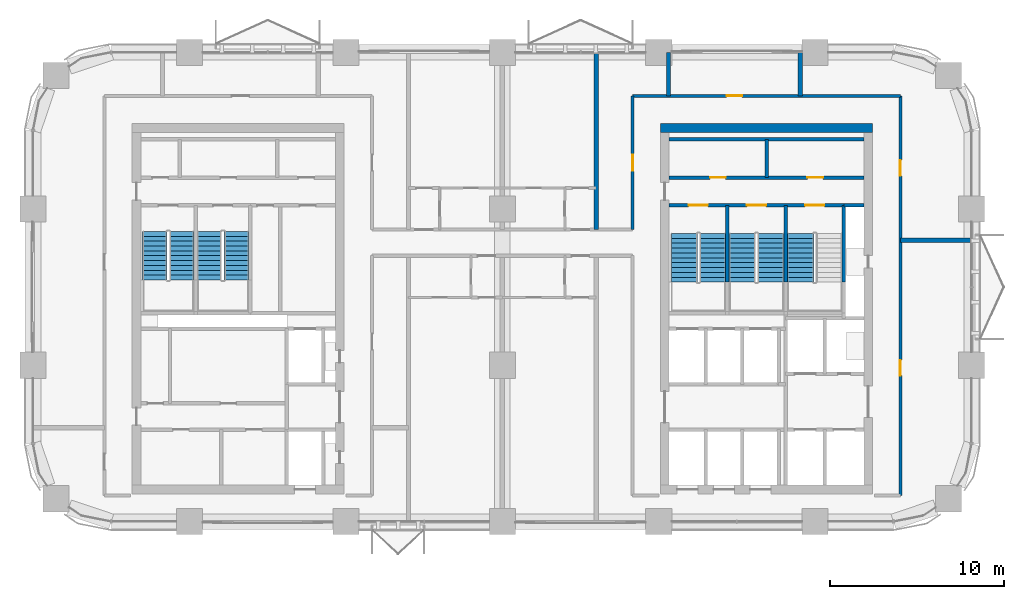
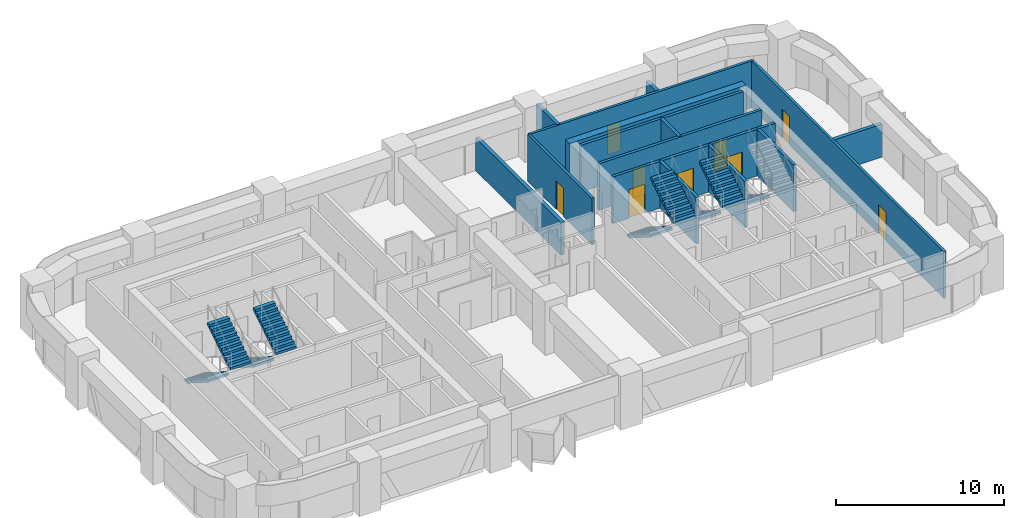
# One storey, part 11 of 14: 16 walls, 9 doors, 9 stair flights, 9 openings, 5 elements without a shape of their own.
"""IFC4 building model written with IfcOpenShell, lengths in metres."""

from ifc_helpers import new_model, si_unit, direction, frame, frame_2d, origin, place, context, subcontext, project, spatial, polyline, rectangle, outline, extrude, material, layer, layer_set, type_object, element, fill, aggregate, save


model = new_model("IFC4")

# Units and contexts
model_context = context("Model", 3, precision=1e-05, world=origin(), true_north=direction((0.0, 1.0)))
body_context = subcontext(model_context, "Body", "Model", "MODEL_VIEW")
ifc_project = project(units=[si_unit("LENGTHUNIT", "METRE"), si_unit("AREAUNIT", "SQUARE_METRE"), si_unit("VOLUMEUNIT", "CUBIC_METRE"), si_unit("PLANEANGLEUNIT", "RADIAN"), si_unit("MASSUNIT", "GRAM", prefix="KILO")], contexts=[model_context])

# Site, building, storey
site_placement = place(None, origin())
site = spatial("IfcSite", under=ifc_project, at=site_placement, CompositionType="ELEMENT")
building_placement = place(site_placement, origin())
building = spatial("IfcBuilding", under=site, at=building_placement, Name="Tessera Arch", CompositionType="ELEMENT")
storey_placement = place(building_placement, frame((0.0, 0.0, 193.39990234375)))
storey = spatial("IfcBuildingStorey", under=building, at=storey_placement, Name="L46", CompositionType="ELEMENT", Elevation=193.39990234375)

# Wall
ifc_material_1 = material(Name="Gypsum board on steel stud", Category="steel")
ifc_layer_1 = layer(ifc_material_1, 0.125)
ifc_layer_set_1 = layer_set([ifc_layer_1], Name="Core partition 125 EI 60")
wall_type_1 = type_object("IfcWallType", Name="Core partition 125 EI 60", PredefinedType="PARTITIONING", material=ifc_layer_set_1)
wall_1_placement = place(storey_placement, frame((42.199951171875, 46.800048828125, 0.0), z_axis=(0.0, 0.0, 1.0), x_axis=(0.0, 1.0, 0.0)))
element("IfcWall", 1, at=wall_1_placement, inside=storey, type_object=wall_type_1, Name="L46 C1 partition wall 7", PredefinedType="PARTITIONING", context=body_context, shape_type="SweptSolid", body=[
    extrude(rectangle(XDim=2.199951171875, YDim=0.199951171875, at=frame_2d((1.10009765625, 0.0))), origin(), (0.0, 0.0, 1.0), 3.400146484375),
])

# Wall, openings, doors
wall_2_placement = place(storey_placement, frame((36.60009765625, 46.800048828125, 0.0), z_axis=(0.0, 0.0, 1.0), x_axis=(1.0, 0.0, 0.0)))
wall_2 = element("IfcWall", 2, at=wall_2_placement, inside=storey, type_object=wall_type_1, Name="L46 C1 partition wall 31", PredefinedType="PARTITIONING", context=body_context, shape_type="SweptSolid", body=[
    extrude(rectangle(XDim=11.199951171875, YDim=0.199951171875, at=frame_2d((5.60009765625, 0.0))), origin(), (0.0, 0.0, 1.0), 3.400146484375),
])
opening_1_placement = place(wall_2_placement, frame((2.35009765625, 0.0, 0.0)))
opening_1 = element("IfcOpeningElement", 3, at=opening_1_placement, cuts=wall_2, Name="Opening L46-C18", PredefinedType="OPENING", context=body_context, shape_type="SweptSolid", body=[
    extrude(rectangle(XDim=0.89990234375, YDim=2.10009765625, at=frame_2d((0.449951171875, 1.050048828125))), frame((0.0, 0.10986328125, 0.0), z_axis=(0.0, -1.0, 0.0), x_axis=(1.0, 0.0, 0.0)), (0.0, 0.0, 1.0), 0.219970703125),
])
opening_2_placement = place(wall_2_placement, frame((7.949951171875, 0.0, 0.0)))
opening_2 = element("IfcOpeningElement", 4, at=opening_2_placement, cuts=wall_2, Name="Opening L46-C19", PredefinedType="OPENING", context=body_context, shape_type="SweptSolid", body=[
    extrude(rectangle(XDim=0.89990234375, YDim=2.10009765625, at=frame_2d((0.449951171875, 1.050048828125))), frame((0.0, 0.10986328125, 0.0), z_axis=(0.0, -1.0, 0.0), x_axis=(1.0, 0.0, 0.0)), (0.0, 0.0, 1.0), 0.219970703125),
])
ifc_material_2 = material(Name="Steel door leaf", Category="steel")
door_type_1 = type_object("IfcDoorType", Name="Store door FD30S 900 x 2100", OperationType="SINGLE_SWING_LEFT", PredefinedType="DOOR", material=ifc_material_2)
door_1_placement = place(opening_1_placement, origin())
door_1 = element("IfcDoor", 5, at=door_1_placement, inside=storey, type_object=door_type_1, Name="L46 C1 door 18 C18 type D09", OperationType="SINGLE_SWING_LEFT", OverallHeight=2.10009765625, OverallWidth=0.89990234375, PredefinedType="DOOR", context=body_context, shape_type="SweptSolid", body=[
    extrude(rectangle(XDim=0.89990234375, YDim=2.10009765625, at=frame_2d((0.449951171875, 1.050048828125))), frame((0.0, 0.02490234375, 0.0), z_axis=(0.0, -1.0, 0.0), x_axis=(1.0, 0.0, 0.0)), (0.0, 0.0, 1.0), 0.050048828125),
])
fill(opening_1, door_1)
door_2_placement = place(opening_2_placement, origin())
door_2 = element("IfcDoor", 6, at=door_2_placement, inside=storey, type_object=door_type_1, Name="L46 C1 door 19 C19 type D09", OperationType="SINGLE_SWING_RIGHT", OverallHeight=2.10009765625, OverallWidth=0.89990234375, PredefinedType="DOOR", context=body_context, shape_type="SweptSolid", body=[
    extrude(rectangle(XDim=0.89990234375, YDim=2.10009765625, at=frame_2d((0.449951171875, 1.050048828125))), frame((0.0, 0.02490234375, 0.0), z_axis=(0.0, -1.0, 0.0), x_axis=(1.0, 0.0, 0.0)), (0.0, 0.0, 1.0), 0.050048828125),
])
fill(opening_2, door_2)

# Walls
wall_3_placement = place(storey_placement, frame((36.60009765625, 49.0, 0.0), z_axis=(0.0, 0.0, 1.0), x_axis=(1.0, 0.0, 0.0)))
element("IfcWall", 7, at=wall_3_placement, inside=storey, type_object=wall_type_1, Name="L46 C1 partition wall 32", PredefinedType="PARTITIONING", context=body_context, shape_type="SweptSolid", body=[
    extrude(rectangle(XDim=11.199951171875, YDim=0.199951171875, at=frame_2d((5.60009765625, 0.0))), origin(), (0.0, 0.0, 1.0), 3.400146484375),
])
ifc_material_3 = material(Name="Concrete C60/75", Category="concrete")
ifc_layer_2 = layer(ifc_material_3, 0.5)
ifc_layer_set_2 = layer_set([ifc_layer_2], Name="Core shell wall 500 C60-75")
wall_type_2 = type_object("IfcWallType", Name="Core shell wall 500 C60-75", PredefinedType="SHEAR", material=ifc_layer_set_2)
wall_4_placement = place(storey_placement, frame((36.10009765625, 49.64990234375, 0.0), z_axis=(0.0, 0.0, 1.0), x_axis=(1.0, 0.0, 0.0)))
element("IfcWall", 8, at=wall_4_placement, inside=storey, type_object=wall_type_2, Name="L46 C1 core wall N", PredefinedType="SHEAR", context=body_context, shape_type="SweptSolid", body=[
    extrude(rectangle(XDim=12.199951171875, YDim=0.5, at=frame_2d((6.10009765625, 0.0))), origin(), (0.0, 0.0, 1.0), 3.400146484375),
])

# Wall, opening, door
ifc_material_4 = material(Name="Gypsum board on deep steel stud with mineral wool", Category="steel")
ifc_layer_3 = layer(ifc_material_4, 0.175048828125)
ifc_layer_set_3 = layer_set([ifc_layer_3], Name="Corridor wall 175 EI 60")
wall_type_3 = type_object("IfcWallType", Name="Corridor wall 175 EI 60", PredefinedType="PARTITIONING", material=ifc_layer_set_3)
wall_5_placement = place(storey_placement, frame((34.5, 51.5, 0.0), z_axis=(0.0, 0.0, 1.0), x_axis=(1.0, 0.0, 0.0)))
wall_5 = element("IfcWall", 9, at=wall_5_placement, inside=storey, type_object=wall_type_3, Name="L46 partition 8", PredefinedType="PARTITIONING", context=body_context, shape_type="SweptSolid", body=[
    extrude(rectangle(XDim=15.39990234375, YDim=0.175048828125, at=frame_2d((7.699951171875, 0.0))), origin(), (0.0, 0.0, 1.0), 3.400146484375),
])
opening_3_placement = place(wall_5_placement, frame((5.4013671875, 0.0, 0.0)))
opening_3 = element("IfcOpeningElement", 10, at=opening_3_placement, cuts=wall_5, Name="Opening L46-D025", PredefinedType="OPENING", context=body_context, shape_type="SweptSolid", body=[
    extrude(rectangle(XDim=0.89990234375, YDim=2.10009765625, at=frame_2d((0.449951171875, 1.050048828125))), frame((0.0, 0.097412109375, 0.0), z_axis=(0.0, -1.0, 0.0), x_axis=(1.0, 0.0, 0.0)), (0.0, 0.0, 1.0), 0.195068359375),
])
ifc_material_5 = material(Name="Timber door leaf", Category="wood")
door_type_2 = type_object("IfcDoorType", Name="Room door 900 x 2100", OperationType="SINGLE_SWING_LEFT", PredefinedType="DOOR", material=ifc_material_5)
door_3_placement = place(opening_3_placement, origin())
door_3 = element("IfcDoor", 11, at=door_3_placement, inside=storey, type_object=door_type_2, Name="L46 door D025 type D01", OperationType="SINGLE_SWING_LEFT", OverallHeight=2.10009765625, OverallWidth=0.89990234375, PredefinedType="DOOR", context=body_context, shape_type="SweptSolid", body=[
    extrude(rectangle(XDim=0.89990234375, YDim=2.10009765625, at=frame_2d((0.449951171875, 1.050048828125))), frame((0.0, 0.02490234375, 0.0), z_axis=(0.0, -1.0, 0.0), x_axis=(1.0, 0.0, 0.0)), (0.0, 0.0, 1.0), 0.050048828125),
])
fill(opening_3, door_3)

wall_6_placement = place(storey_placement, frame((34.5, 43.800048828125, 0.0), z_axis=(0.0, 0.0, 1.0), x_axis=(0.0, 1.0, 0.0)))
wall_6 = element("IfcWall", 12, at=wall_6_placement, inside=storey, type_object=wall_type_3, Name="L46 partition 13", PredefinedType="PARTITIONING", context=body_context, shape_type="SweptSolid", body=[
    extrude(rectangle(XDim=7.699951171875, YDim=0.175048828125, at=frame_2d((3.85009765625, 0.0))), origin(), (0.0, 0.0, 1.0), 3.400146484375),
])
opening_4_placement = place(wall_6_placement, frame((3.39990234375, 0.0, 0.0)))
opening_4 = element("IfcOpeningElement", 13, at=opening_4_placement, cuts=wall_6, Name="Opening L46-D022", PredefinedType="OPENING", context=body_context, shape_type="SweptSolid", body=[
    extrude(rectangle(XDim=0.89990234375, YDim=2.10009765625, at=frame_2d((0.449951171875, 1.050048828125))), frame((0.0, 0.097412109375, 0.0), z_axis=(0.0, -1.0, 0.0), x_axis=(1.0, 0.0, 0.0)), (0.0, 0.0, 1.0), 0.195068359375),
])
door_4_placement = place(opening_4_placement, origin())
door_4 = element("IfcDoor", 14, at=door_4_placement, inside=storey, type_object=door_type_2, Name="L46 door D022 type D01", OperationType="SINGLE_SWING_RIGHT", OverallHeight=2.10009765625, OverallWidth=0.89990234375, PredefinedType="DOOR", context=body_context, shape_type="SweptSolid", body=[
    extrude(rectangle(XDim=0.89990234375, YDim=2.10009765625, at=frame_2d((0.449951171875, 1.050048828125))), frame((0.0, 0.02490234375, 0.0), z_axis=(0.0, -1.0, 0.0), x_axis=(1.0, 0.0, 0.0)), (0.0, 0.0, 1.0), 0.050048828125),
])
fill(opening_4, door_4)

# Wall, openings, doors
wall_7_placement = place(storey_placement, frame((49.89990234375, 28.5, 0.0), z_axis=(0.0, 0.0, 1.0), x_axis=(0.0, 1.0, 0.0)))
wall_7 = element("IfcWall", 15, at=wall_7_placement, inside=storey, type_object=wall_type_3, Name="L46 partition 14", PredefinedType="PARTITIONING", context=body_context, shape_type="SweptSolid", body=[
    extrude(rectangle(XDim=23.0, YDim=0.175048828125, at=frame_2d((11.5, 0.0))), origin(), (0.0, 0.0, 1.0), 3.400146484375),
])
opening_5_placement = place(wall_7_placement, frame((6.89990234375, 0.0, 0.0)))
opening_5 = element("IfcOpeningElement", 16, at=opening_5_placement, cuts=wall_7, Name="Opening L46-D002", PredefinedType="OPENING", context=body_context, shape_type="SweptSolid", body=[
    extrude(rectangle(XDim=0.89990234375, YDim=2.10009765625, at=frame_2d((0.449951171875, 1.050048828125))), frame((0.0, 0.097412109375, 0.0), z_axis=(0.0, -1.0, 0.0), x_axis=(1.0, 0.0, 0.0)), (0.0, 0.0, 1.0), 0.195068359375),
])
opening_6_placement = place(wall_7_placement, frame((18.39990234375, 0.0, 0.0)))
opening_6 = element("IfcOpeningElement", 17, at=opening_6_placement, cuts=wall_7, Name="Opening L46-D021", PredefinedType="OPENING", context=body_context, shape_type="SweptSolid", body=[
    extrude(rectangle(XDim=0.89990234375, YDim=2.10009765625, at=frame_2d((0.449951171875, 1.050048828125))), frame((0.0, 0.097412109375, 0.0), z_axis=(0.0, -1.0, 0.0), x_axis=(1.0, 0.0, 0.0)), (0.0, 0.0, 1.0), 0.195068359375),
])
door_5_placement = place(opening_5_placement, origin())
door_5 = element("IfcDoor", 18, at=door_5_placement, inside=storey, type_object=door_type_2, Name="L46 door D002 type D01", OperationType="SINGLE_SWING_LEFT", OverallHeight=2.10009765625, OverallWidth=0.89990234375, PredefinedType="DOOR", context=body_context, shape_type="SweptSolid", body=[
    extrude(rectangle(XDim=0.89990234375, YDim=2.10009765625, at=frame_2d((0.449951171875, 1.050048828125))), frame((0.0, 0.02490234375, 0.0), z_axis=(0.0, -1.0, 0.0), x_axis=(1.0, 0.0, 0.0)), (0.0, 0.0, 1.0), 0.050048828125),
])
fill(opening_5, door_5)
door_6_placement = place(opening_6_placement, origin())
door_6 = element("IfcDoor", 19, at=door_6_placement, inside=storey, type_object=door_type_2, Name="L46 door D021 type D01", OperationType="SINGLE_SWING_RIGHT", OverallHeight=2.10009765625, OverallWidth=0.89990234375, PredefinedType="DOOR", context=body_context, shape_type="SweptSolid", body=[
    extrude(rectangle(XDim=0.89990234375, YDim=2.10009765625, at=frame_2d((0.449951171875, 1.050048828125))), frame((0.0, 0.02490234375, 0.0), z_axis=(0.0, -1.0, 0.0), x_axis=(1.0, 0.0, 0.0)), (0.0, 0.0, 1.0), 0.050048828125),
])
fill(opening_6, door_6)

# Walls
ifc_material_6 = material(Name="Double gypsum board on twin steel stud with acoustic mineral wool", Category="steel")
ifc_layer_4 = layer(ifc_material_6, 0.25)
ifc_layer_set_4 = layer_set([ifc_layer_4], Name="Party wall 250 EI 60")
wall_type_4 = type_object("IfcWallType", Name="Party wall 250 EI 60", PredefinedType="PARTITIONING", material=ifc_layer_set_4)
wall_8_placement = place(storey_placement, frame((49.89990234375, 43.199951171875, 0.0), z_axis=(0.0, 0.0, 1.0), x_axis=(1.0, 0.0, 0.0)))
element("IfcWall", 20, at=wall_8_placement, inside=storey, type_object=wall_type_4, Name="L46 partition 21", PredefinedType="PARTITIONING", context=body_context, shape_type="SweptSolid", body=[
    extrude(rectangle(XDim=4.10009765625, YDim=0.25, at=frame_2d((2.050048828125, 0.0))), origin(), (0.0, 0.0, 1.0), 2.400146484375),
])
wall_9_placement = place(storey_placement, frame((32.39990234375, 43.800048828125, 0.0), z_axis=(0.0, 0.0, 1.0), x_axis=(0.0, 1.0, 0.0)))
element("IfcWall", 21, at=wall_9_placement, inside=storey, type_object=wall_type_4, Name="L46 partition 29", PredefinedType="PARTITIONING", context=body_context, shape_type="SweptSolid", body=[
    extrude(rectangle(XDim=10.199951171875, YDim=0.25, at=frame_2d((5.10009765625, 0.0))), origin(), (0.0, 0.0, 1.0), 2.400146484375),
])
wall_10_placement = place(storey_placement, frame((36.55908203125, 51.5, 0.0), z_axis=(0.0, 0.0, 1.0), x_axis=(0.0, 1.0, 0.0)))
element("IfcWall", 22, at=wall_10_placement, inside=storey, type_object=wall_type_4, Name="L46 partition 30", PredefinedType="PARTITIONING", context=body_context, shape_type="SweptSolid", body=[
    extrude(rectangle(XDim=2.5, YDim=0.25, at=frame_2d((1.25, 0.0))), origin(), (0.0, 0.0, 1.0), 3.400146484375),
])
wall_11_placement = place(storey_placement, frame((44.14306640625, 51.5, 0.0), z_axis=(0.0, 0.0, 1.0), x_axis=(0.0, 1.0, 0.0)))
element("IfcWall", 23, at=wall_11_placement, inside=storey, type_object=wall_type_4, Name="L46 partition 31", PredefinedType="PARTITIONING", context=body_context, shape_type="SweptSolid", body=[
    extrude(rectangle(XDim=2.5, YDim=0.25, at=frame_2d((1.25, 0.0))), origin(), (0.0, 0.0, 1.0), 2.400146484375),
])
ifc_material_7 = material(Name="Concrete C40/50", Category="concrete")
ifc_layer_5 = layer(ifc_material_7, 0.199951171875)
ifc_layer_set_5 = layer_set([ifc_layer_5], Name="Shaft wall 200 EI 120")
wall_type_5 = type_object("IfcWallType", Name="Shaft wall 200 EI 120", PredefinedType="SOLIDWALL", material=ifc_layer_set_5)
wall_12_placement = place(storey_placement, frame((46.64990234375, 45.199951171875, 0.0), z_axis=(0.0, 0.0, 1.0), x_axis=(1.0, 0.0, 0.0)))
element("IfcWall", 24, at=wall_12_placement, inside=storey, type_object=wall_type_5, Name="L46 C1 shaft wall 29", PredefinedType="SOLIDWALL", context=body_context, shape_type="SweptSolid", body=[
    extrude(rectangle(XDim=1.150146484375, YDim=0.199951171875, at=frame_2d((0.5751953125, 0.0))), origin(), (0.0, 0.0, 1.0), 3.400146484375),
])
ifc_material_8 = material(Name="Concrete C40/50", Category="concrete")
ifc_layer_6 = layer(ifc_material_8, 0.199951171875)
ifc_layer_set_6 = layer_set([ifc_layer_6], Name="Stair well wall 200 REI 180")
wall_type_6 = type_object("IfcWallType", Name="Stair well wall 200 REI 180", PredefinedType="SOLIDWALL", material=ifc_layer_set_6)
for number, where, z_axis, x_axis, name in (
    (25, (39.949951171875, 40.780029296875, 0.0), (0.0, 0.0, 1.0), (0.0, 1.0, 0.0), "L46 C1 shaft wall 4"),
    (26, (43.300048828125, 40.780029296875, 0.0), (0.0, 0.0, 1.0), (0.0, 1.0, 0.0), "L46 C1 shaft wall 12"),
    (27, (46.64990234375, 40.780029296875, 0.0), (0.0, 0.0, 1.0), (0.0, 1.0, 0.0), "L46 C1 shaft wall 17"),
):
    element("IfcWall", number, at=place(storey_placement, frame(where, z_axis=z_axis, x_axis=x_axis)), inside=storey, type_object=wall_type_6, Name=name, PredefinedType="SOLIDWALL", context=body_context, shape_type="SweptSolid", body=[
        extrude(rectangle(XDim=4.419921875, YDim=0.199951171875, at=frame_2d((2.2099609375, 0.0))), origin(), (0.0, 0.0, 1.0), 3.400146484375),
    ])

# Wall, openings, doors
wall_13_placement = place(storey_placement, frame((36.60009765625, 45.199951171875, 0.0), z_axis=(0.0, 0.0, 1.0), x_axis=(1.0, 0.0, 0.0)))
wall_13 = element("IfcWall", 28, at=wall_13_placement, inside=storey, type_object=wall_type_6, Name="L46 C1 shaft wall 30", PredefinedType="SOLIDWALL", context=body_context, shape_type="SweptSolid", body=[
    extrude(rectangle(XDim=10.0498046875, YDim=0.199951171875, at=frame_2d((5.02490234375, 0.0))), origin(), (0.0, 0.0, 1.0), 3.400146484375),
])
opening_7_placement = place(wall_13_placement, frame((1.125, 0.0, 0.0)))
opening_7 = element("IfcOpeningElement", 29, at=opening_7_placement, cuts=wall_13, Name="Opening L46-C11", PredefinedType="OPENING", context=body_context, shape_type="SweptSolid", body=[
    extrude(rectangle(XDim=1.10009765625, YDim=2.10009765625, at=frame_2d((0.550048828125, 1.050048828125))), frame((0.0, 0.10986328125, 0.0), z_axis=(0.0, -1.0, 0.0), x_axis=(1.0, 0.0, 0.0)), (0.0, 0.0, 1.0), 0.219970703125),
])
opening_8_placement = place(wall_13_placement, frame((4.47509765625, 0.0, 0.0)))
opening_8 = element("IfcOpeningElement", 30, at=opening_8_placement, cuts=wall_13, Name="Opening L46-C12", PredefinedType="OPENING", context=body_context, shape_type="SweptSolid", body=[
    extrude(rectangle(XDim=1.10009765625, YDim=2.10009765625, at=frame_2d((0.550048828125, 1.050048828125))), frame((0.0, 0.10986328125, 0.0), z_axis=(0.0, -1.0, 0.0), x_axis=(1.0, 0.0, 0.0)), (0.0, 0.0, 1.0), 0.219970703125),
])
opening_9_placement = place(wall_13_placement, frame((7.824951171875, 0.0, 0.0)))
opening_9 = element("IfcOpeningElement", 31, at=opening_9_placement, cuts=wall_13, Name="Opening L46-C13", PredefinedType="OPENING", context=body_context, shape_type="SweptSolid", body=[
    extrude(rectangle(XDim=1.10009765625, YDim=2.10009765625, at=frame_2d((0.550048828125, 1.050048828125))), frame((0.0, 0.10986328125, 0.0), z_axis=(0.0, -1.0, 0.0), x_axis=(1.0, 0.0, 0.0)), (0.0, 0.0, 1.0), 0.219970703125),
])
ifc_material_9 = material(Name="Steel door leaf", Category="steel")
door_type_3 = type_object("IfcDoorType", Name="Stair door FD60 1100 x 2100", OperationType="SINGLE_SWING_LEFT", PredefinedType="DOOR", material=ifc_material_9)
door_7_placement = place(opening_7_placement, origin())
door_7 = element("IfcDoor", 32, at=door_7_placement, inside=storey, type_object=door_type_3, Name="L46 C1 door 11 C11 type D05", OperationType="SINGLE_SWING_LEFT", OverallHeight=2.10009765625, OverallWidth=1.10009765625, PredefinedType="DOOR", context=body_context, shape_type="SweptSolid", body=[
    extrude(rectangle(XDim=1.10009765625, YDim=2.10009765625, at=frame_2d((0.550048828125, 1.050048828125))), frame((0.0, 0.02490234375, 0.0), z_axis=(0.0, -1.0, 0.0), x_axis=(1.0, 0.0, 0.0)), (0.0, 0.0, 1.0), 0.050048828125),
])
fill(opening_7, door_7)
door_8_placement = place(opening_8_placement, origin())
door_8 = element("IfcDoor", 33, at=door_8_placement, inside=storey, type_object=door_type_3, Name="L46 C1 door 12 C12 type D05", OperationType="SINGLE_SWING_RIGHT", OverallHeight=2.10009765625, OverallWidth=1.10009765625, PredefinedType="DOOR", context=body_context, shape_type="SweptSolid", body=[
    extrude(rectangle(XDim=1.10009765625, YDim=2.10009765625, at=frame_2d((0.550048828125, 1.050048828125))), frame((0.0, 0.02490234375, 0.0), z_axis=(0.0, -1.0, 0.0), x_axis=(1.0, 0.0, 0.0)), (0.0, 0.0, 1.0), 0.050048828125),
])
fill(opening_8, door_8)
door_9_placement = place(opening_9_placement, origin())
door_9 = element("IfcDoor", 34, at=door_9_placement, inside=storey, type_object=door_type_3, Name="L46 C1 door 13 C13 type D05", OperationType="SINGLE_SWING_RIGHT", OverallHeight=2.10009765625, OverallWidth=1.10009765625, PredefinedType="DOOR", context=body_context, shape_type="SweptSolid", body=[
    extrude(rectangle(XDim=1.10009765625, YDim=2.10009765625, at=frame_2d((0.550048828125, 1.050048828125))), frame((0.0, 0.02490234375, 0.0), z_axis=(0.0, -1.0, 0.0), x_axis=(1.0, 0.0, 0.0)), (0.0, 0.0, 1.0), 0.050048828125),
])
fill(opening_9, door_9)

# Stair, stair flights
ifc_material_10 = material(Name="Concrete C40/50", Category="concrete")
stair_type_1 = type_object("IfcStairType", Name="Dogleg stair 1400", PredefinedType="HALF_TURN_STAIR", material=ifc_material_10)
stair_1_placement = place(storey_placement, origin())
stair_1 = element("IfcStair", 35, at=stair_1_placement, inside=storey, type_object=stair_type_1, Name="L46 S2a", PredefinedType="HALF_TURN_STAIR")
ifc_material_11 = material(Name="Concrete C40/50", Category="concrete")
stair_flight_type_1 = type_object("IfcStairFlightType", Name="Stair flight 1400", PredefinedType="STRAIGHT", material=ifc_material_11)
stair_flight_1_placement = place(storey_placement, frame((7.0, 43.699951171875, 0.0), z_axis=(0.0, 0.0, 1.0), x_axis=(0.0, -1.0, 0.0)))
stair_flight_1 = element("IfcStairFlight", 36, at=stair_flight_1_placement, type_object=stair_flight_type_1, Name="S2a flight 1", NumberOfRisers=11, NumberOfTreads=10, PredefinedType="STRAIGHT", RiserHeight=0.177272727, TreadLength=0.28, context=body_context, shape_type="SweptSolid", body=[
    extrude(outline(polyline([(0.0, 0.0), (0.0, 0.17724609375), (0.280029296875, 0.17724609375), (0.280029296875, 0.3544921875), (0.56005859375, 0.3544921875), (0.56005859375, 0.53173828125), (0.840087890625, 0.53173828125), (0.840087890625, 0.708984375), (1.1201171875, 0.708984375), (1.1201171875, 0.886474609375), (1.39990234375, 0.886474609375), (1.39990234375, 1.063720703125), (1.679931640625, 1.063720703125), (1.679931640625, 1.240966796875), (1.9599609375, 1.240966796875), (1.9599609375, 1.418212890625), (2.239990234375, 1.418212890625), (2.239990234375, 1.595458984375), (2.52001953125, 1.595458984375), (2.52001953125, 1.772705078125), (2.800048828125, 1.772705078125), (2.800048828125, 1.949951171875), (2.800048828125, 1.59521484375), (0.2802734375, 0.0), (0.0, 0.0)])), frame((0.0, 0.699951171875, 0.0), z_axis=(0.0, -1.0, 0.0), x_axis=(1.0, 0.0, 0.0)), (0.0, 0.0, 1.0), 1.39990234375),
])
stair_flight_2_placement = place(storey_placement, frame((8.550048828125, 40.89990234375, 1.9501953125), z_axis=(0.0, 0.0, 1.0), x_axis=(0.0, 1.0, 0.0)))
stair_flight_2 = element("IfcStairFlight", 37, at=stair_flight_2_placement, type_object=stair_flight_type_1, Name="S2a flight 2", NumberOfRisers=11, NumberOfTreads=10, PredefinedType="STRAIGHT", RiserHeight=0.177272727, TreadLength=0.28, context=body_context, shape_type="SweptSolid", body=[
    extrude(outline(polyline([(0.0, 0.0), (0.0, 0.17724609375), (0.280029296875, 0.17724609375), (0.280029296875, 0.3544921875), (0.56005859375, 0.3544921875), (0.56005859375, 0.53173828125), (0.840087890625, 0.53173828125), (0.840087890625, 0.708984375), (1.1201171875, 0.708984375), (1.1201171875, 0.886474609375), (1.39990234375, 0.886474609375), (1.39990234375, 1.063720703125), (1.679931640625, 1.063720703125), (1.679931640625, 1.240966796875), (1.9599609375, 1.240966796875), (1.9599609375, 1.418212890625), (2.239990234375, 1.418212890625), (2.239990234375, 1.595458984375), (2.52001953125, 1.595458984375), (2.52001953125, 1.772705078125), (2.800048828125, 1.772705078125), (2.800048828125, 1.949951171875), (2.800048828125, 1.59521484375), (0.2802734375, 0.0), (0.0, 0.0)])), frame((0.0, 0.699951171875, 0.0), z_axis=(0.0, -1.0, 0.0), x_axis=(1.0, 0.0, 0.0)), (0.0, 0.0, 1.0), 1.39990234375),
])
aggregate(stair_1, [stair_flight_1, stair_flight_2])

stair_2_placement = place(storey_placement, origin())
stair_2 = element("IfcStair", 38, at=stair_2_placement, inside=storey, type_object=stair_type_1, Name="L46 S2b", PredefinedType="HALF_TURN_STAIR")
stair_flight_3_placement = place(storey_placement, frame((10.14990234375, 43.699951171875, 0.0), z_axis=(0.0, 0.0, 1.0), x_axis=(0.0, -1.0, 0.0)))
stair_flight_3 = element("IfcStairFlight", 39, at=stair_flight_3_placement, type_object=stair_flight_type_1, Name="S2b flight 1", NumberOfRisers=11, NumberOfTreads=10, PredefinedType="STRAIGHT", RiserHeight=0.177272727, TreadLength=0.28, context=body_context, shape_type="SweptSolid", body=[
    extrude(outline(polyline([(0.0, 0.0), (0.0, 0.17724609375), (0.280029296875, 0.17724609375), (0.280029296875, 0.3544921875), (0.56005859375, 0.3544921875), (0.56005859375, 0.53173828125), (0.840087890625, 0.53173828125), (0.840087890625, 0.708984375), (1.1201171875, 0.708984375), (1.1201171875, 0.886474609375), (1.39990234375, 0.886474609375), (1.39990234375, 1.063720703125), (1.679931640625, 1.063720703125), (1.679931640625, 1.240966796875), (1.9599609375, 1.240966796875), (1.9599609375, 1.418212890625), (2.239990234375, 1.418212890625), (2.239990234375, 1.595458984375), (2.52001953125, 1.595458984375), (2.52001953125, 1.772705078125), (2.800048828125, 1.772705078125), (2.800048828125, 1.949951171875), (2.800048828125, 1.59521484375), (0.2802734375, 0.0), (0.0, 0.0)])), frame((0.0, 0.699951171875, 0.0), z_axis=(0.0, -1.0, 0.0), x_axis=(1.0, 0.0, 0.0)), (0.0, 0.0, 1.0), 1.39990234375),
])
stair_flight_4_placement = place(storey_placement, frame((11.699951171875, 40.89990234375, 1.9501953125), z_axis=(0.0, 0.0, 1.0), x_axis=(0.0, 1.0, 0.0)))
stair_flight_4 = element("IfcStairFlight", 40, at=stair_flight_4_placement, type_object=stair_flight_type_1, Name="S2b flight 2", NumberOfRisers=11, NumberOfTreads=10, PredefinedType="STRAIGHT", RiserHeight=0.177272727, TreadLength=0.28, context=body_context, shape_type="SweptSolid", body=[
    extrude(outline(polyline([(0.0, 0.0), (0.0, 0.17724609375), (0.280029296875, 0.17724609375), (0.280029296875, 0.3544921875), (0.56005859375, 0.3544921875), (0.56005859375, 0.53173828125), (0.840087890625, 0.53173828125), (0.840087890625, 0.708984375), (1.1201171875, 0.708984375), (1.1201171875, 0.886474609375), (1.39990234375, 0.886474609375), (1.39990234375, 1.063720703125), (1.679931640625, 1.063720703125), (1.679931640625, 1.240966796875), (1.9599609375, 1.240966796875), (1.9599609375, 1.418212890625), (2.239990234375, 1.418212890625), (2.239990234375, 1.595458984375), (2.52001953125, 1.595458984375), (2.52001953125, 1.772705078125), (2.800048828125, 1.772705078125), (2.800048828125, 1.949951171875), (2.800048828125, 1.59521484375), (0.2802734375, 0.0), (0.0, 0.0)])), frame((0.0, 0.699951171875, 0.0), z_axis=(0.0, -1.0, 0.0), x_axis=(1.0, 0.0, 0.0)), (0.0, 0.0, 1.0), 1.39990234375),
])
aggregate(stair_2, [stair_flight_3, stair_flight_4])

ifc_material_12 = material(Name="Concrete C40/50", Category="concrete")
stair_type_2 = type_object("IfcStairType", Name="Dogleg stair 1520", PredefinedType="HALF_TURN_STAIR", material=ifc_material_12)
stair_3_placement = place(storey_placement, origin())
stair_3 = element("IfcStair", 41, at=stair_3_placement, inside=storey, type_object=stair_type_2, Name="L46 S1a", PredefinedType="HALF_TURN_STAIR")
ifc_material_13 = material(Name="Concrete C40/50", Category="concrete")
stair_flight_type_2 = type_object("IfcStairFlightType", Name="Stair flight 1520", PredefinedType="STRAIGHT", material=ifc_material_13)
stair_flight_5_placement = place(storey_placement, frame((37.4599609375, 43.580078125, 0.0), z_axis=(0.0, 0.0, 1.0), x_axis=(0.0, -1.0, 0.0)))
stair_flight_5 = element("IfcStairFlight", 42, at=stair_flight_5_placement, type_object=stair_flight_type_2, Name="S1a flight 1", NumberOfRisers=11, NumberOfTreads=10, PredefinedType="STRAIGHT", RiserHeight=0.177272727, TreadLength=0.28, context=body_context, shape_type="SweptSolid", body=[
    extrude(outline(polyline([(0.0, 0.0), (0.0, 0.17724609375), (0.280029296875, 0.17724609375), (0.280029296875, 0.3544921875), (0.56005859375, 0.3544921875), (0.56005859375, 0.53173828125), (0.840087890625, 0.53173828125), (0.840087890625, 0.708984375), (1.1201171875, 0.708984375), (1.1201171875, 0.886474609375), (1.39990234375, 0.886474609375), (1.39990234375, 1.063720703125), (1.679931640625, 1.063720703125), (1.679931640625, 1.240966796875), (1.9599609375, 1.240966796875), (1.9599609375, 1.418212890625), (2.239990234375, 1.418212890625), (2.239990234375, 1.595458984375), (2.52001953125, 1.595458984375), (2.52001953125, 1.772705078125), (2.800048828125, 1.772705078125), (2.800048828125, 1.949951171875), (2.800048828125, 1.59521484375), (0.2802734375, 0.0), (0.0, 0.0)])), frame((0.0, 0.760009765625, 0.0), z_axis=(0.0, -1.0, 0.0), x_axis=(1.0, 0.0, 0.0)), (0.0, 0.0, 1.0), 1.52001953125),
])
stair_flight_6_placement = place(storey_placement, frame((39.090087890625, 40.780029296875, 1.9501953125), z_axis=(0.0, 0.0, 1.0), x_axis=(0.0, 1.0, 0.0)))
stair_flight_6 = element("IfcStairFlight", 43, at=stair_flight_6_placement, type_object=stair_flight_type_2, Name="S1a flight 2", NumberOfRisers=11, NumberOfTreads=10, PredefinedType="STRAIGHT", RiserHeight=0.177272727, TreadLength=0.28, context=body_context, shape_type="SweptSolid", body=[
    extrude(outline(polyline([(0.0, 0.0), (0.0, 0.17724609375), (0.280029296875, 0.17724609375), (0.280029296875, 0.3544921875), (0.56005859375, 0.3544921875), (0.56005859375, 0.53173828125), (0.840087890625, 0.53173828125), (0.840087890625, 0.708984375), (1.1201171875, 0.708984375), (1.1201171875, 0.886474609375), (1.39990234375, 0.886474609375), (1.39990234375, 1.063720703125), (1.679931640625, 1.063720703125), (1.679931640625, 1.240966796875), (1.9599609375, 1.240966796875), (1.9599609375, 1.418212890625), (2.239990234375, 1.418212890625), (2.239990234375, 1.595458984375), (2.52001953125, 1.595458984375), (2.52001953125, 1.772705078125), (2.800048828125, 1.772705078125), (2.800048828125, 1.949951171875), (2.800048828125, 1.59521484375), (0.2802734375, 0.0), (0.0, 0.0)])), frame((0.0, 0.760009765625, 0.0), z_axis=(0.0, -1.0, 0.0), x_axis=(1.0, 0.0, 0.0)), (0.0, 0.0, 1.0), 1.52001953125),
])
aggregate(stair_3, [stair_flight_5, stair_flight_6])

stair_4_placement = place(storey_placement, origin())
stair_4 = element("IfcStair", 44, at=stair_4_placement, inside=storey, type_object=stair_type_2, Name="L46 S1b", PredefinedType="HALF_TURN_STAIR")
stair_flight_7_placement = place(storey_placement, frame((40.81005859375, 43.580078125, 0.0), z_axis=(0.0, 0.0, 1.0), x_axis=(0.0, -1.0, 0.0)))
stair_flight_7 = element("IfcStairFlight", 45, at=stair_flight_7_placement, type_object=stair_flight_type_2, Name="S1b flight 1", NumberOfRisers=11, NumberOfTreads=10, PredefinedType="STRAIGHT", RiserHeight=0.177272727, TreadLength=0.28, context=body_context, shape_type="SweptSolid", body=[
    extrude(outline(polyline([(0.0, 0.0), (0.0, 0.17724609375), (0.280029296875, 0.17724609375), (0.280029296875, 0.3544921875), (0.56005859375, 0.3544921875), (0.56005859375, 0.53173828125), (0.840087890625, 0.53173828125), (0.840087890625, 0.708984375), (1.1201171875, 0.708984375), (1.1201171875, 0.886474609375), (1.39990234375, 0.886474609375), (1.39990234375, 1.063720703125), (1.679931640625, 1.063720703125), (1.679931640625, 1.240966796875), (1.9599609375, 1.240966796875), (1.9599609375, 1.418212890625), (2.239990234375, 1.418212890625), (2.239990234375, 1.595458984375), (2.52001953125, 1.595458984375), (2.52001953125, 1.772705078125), (2.800048828125, 1.772705078125), (2.800048828125, 1.949951171875), (2.800048828125, 1.59521484375), (0.2802734375, 0.0), (0.0, 0.0)])), frame((0.0, 0.760009765625, 0.0), z_axis=(0.0, -1.0, 0.0), x_axis=(1.0, 0.0, 0.0)), (0.0, 0.0, 1.0), 1.52001953125),
])
stair_flight_8_placement = place(storey_placement, frame((42.43994140625, 40.780029296875, 1.9501953125), z_axis=(0.0, 0.0, 1.0), x_axis=(0.0, 1.0, 0.0)))
stair_flight_8 = element("IfcStairFlight", 46, at=stair_flight_8_placement, type_object=stair_flight_type_2, Name="S1b flight 2", NumberOfRisers=11, NumberOfTreads=10, PredefinedType="STRAIGHT", RiserHeight=0.177272727, TreadLength=0.28, context=body_context, shape_type="SweptSolid", body=[
    extrude(outline(polyline([(0.0, 0.0), (0.0, 0.17724609375), (0.280029296875, 0.17724609375), (0.280029296875, 0.3544921875), (0.56005859375, 0.3544921875), (0.56005859375, 0.53173828125), (0.840087890625, 0.53173828125), (0.840087890625, 0.708984375), (1.1201171875, 0.708984375), (1.1201171875, 0.886474609375), (1.39990234375, 0.886474609375), (1.39990234375, 1.063720703125), (1.679931640625, 1.063720703125), (1.679931640625, 1.240966796875), (1.9599609375, 1.240966796875), (1.9599609375, 1.418212890625), (2.239990234375, 1.418212890625), (2.239990234375, 1.595458984375), (2.52001953125, 1.595458984375), (2.52001953125, 1.772705078125), (2.800048828125, 1.772705078125), (2.800048828125, 1.949951171875), (2.800048828125, 1.59521484375), (0.2802734375, 0.0), (0.0, 0.0)])), frame((0.0, 0.760009765625, 0.0), z_axis=(0.0, -1.0, 0.0), x_axis=(1.0, 0.0, 0.0)), (0.0, 0.0, 1.0), 1.52001953125),
])
aggregate(stair_4, [stair_flight_7, stair_flight_8])

# Stair, stair flight
stair_5_placement = place(storey_placement, origin())
stair_5 = element("IfcStair", 47, at=stair_5_placement, inside=storey, type_object=stair_type_2, Name="L46 S1c", PredefinedType="HALF_TURN_STAIR")
stair_flight_9_placement = place(storey_placement, frame((44.159912109375, 43.580078125, 0.0), z_axis=(0.0, 0.0, 1.0), x_axis=(0.0, -1.0, 0.0)))
stair_flight_9 = element("IfcStairFlight", 48, at=stair_flight_9_placement, type_object=stair_flight_type_2, Name="S1c flight 1", NumberOfRisers=11, NumberOfTreads=10, PredefinedType="STRAIGHT", RiserHeight=0.177272727, TreadLength=0.28, context=body_context, shape_type="SweptSolid", body=[
    extrude(outline(polyline([(0.0, 0.0), (0.0, 0.17724609375), (0.280029296875, 0.17724609375), (0.280029296875, 0.3544921875), (0.56005859375, 0.3544921875), (0.56005859375, 0.53173828125), (0.840087890625, 0.53173828125), (0.840087890625, 0.708984375), (1.1201171875, 0.708984375), (1.1201171875, 0.886474609375), (1.39990234375, 0.886474609375), (1.39990234375, 1.063720703125), (1.679931640625, 1.063720703125), (1.679931640625, 1.240966796875), (1.9599609375, 1.240966796875), (1.9599609375, 1.418212890625), (2.239990234375, 1.418212890625), (2.239990234375, 1.595458984375), (2.52001953125, 1.595458984375), (2.52001953125, 1.772705078125), (2.800048828125, 1.772705078125), (2.800048828125, 1.949951171875), (2.800048828125, 1.59521484375), (0.2802734375, 0.0), (0.0, 0.0)])), frame((0.0, 0.760009765625, 0.0), z_axis=(0.0, -1.0, 0.0), x_axis=(1.0, 0.0, 0.0)), (0.0, 0.0, 1.0), 1.52001953125),
])
aggregate(stair_5, [stair_flight_9])

save(model, "model.ifc")
